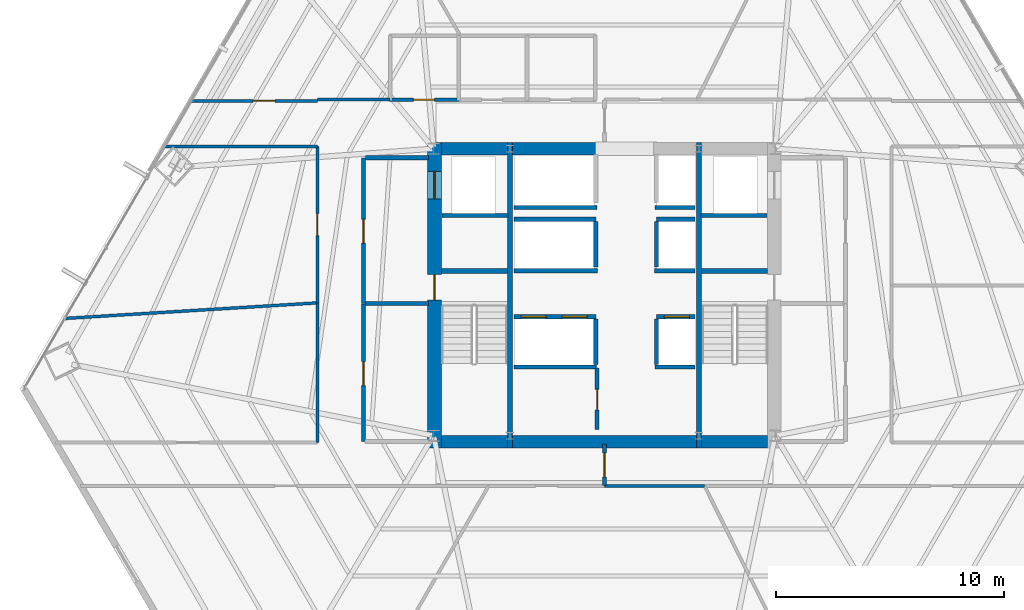
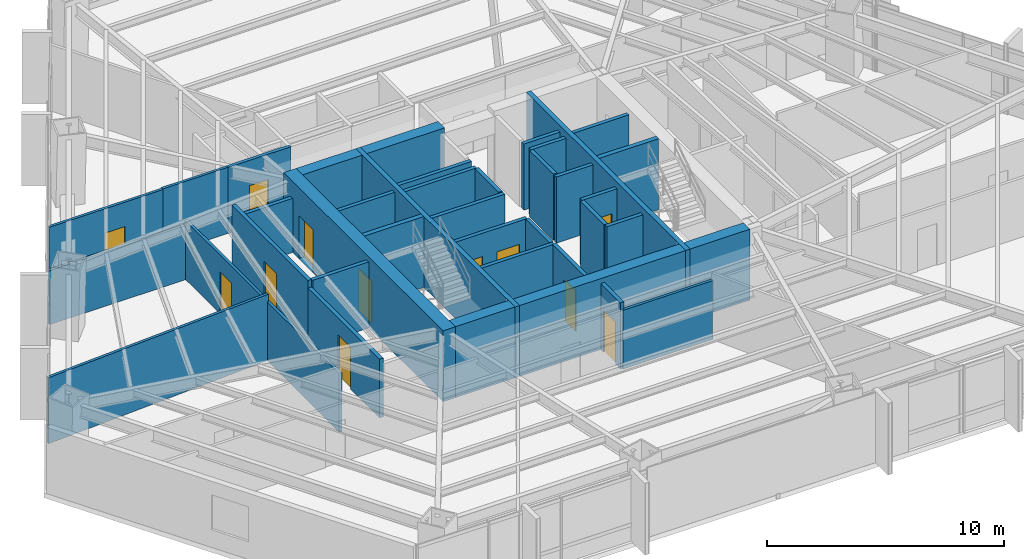
# One storey, part 28 of 33: 40 walls, 12 doors, 12 openings.
"""IFC4 building model written with IfcOpenShell, lengths in metres."""

from ifc_helpers import new_model, si_unit, direction, frame, frame_2d, origin, place, context, subcontext, project, spatial, rectangle, extrude, material, layer, layer_set, type_object, element, fill, save


model = new_model("IFC4")

# Units and contexts
model_context = context("Model", 3, precision=1e-05, world=origin(), true_north=direction((0.0, 1.0)))
body_context = subcontext(model_context, "Body", "Model", "MODEL_VIEW")
ifc_project = project(units=[si_unit("LENGTHUNIT", "METRE"), si_unit("AREAUNIT", "SQUARE_METRE"), si_unit("VOLUMEUNIT", "CUBIC_METRE"), si_unit("PLANEANGLEUNIT", "RADIAN"), si_unit("MASSUNIT", "GRAM", prefix="KILO")], contexts=[model_context])

# Site, building, storey
site_placement = place(None, origin())
site = spatial("IfcSite", under=ifc_project, at=site_placement, CompositionType="ELEMENT")
building_placement = place(site_placement, origin())
building = spatial("IfcBuilding", under=site, at=building_placement, Name="Caelisora Broadcast Tower", CompositionType="ELEMENT")
storey_placement = place(building_placement, frame((0.0, 0.0, 38.550048828125)))
storey = spatial("IfcBuildingStorey", under=building, at=storey_placement, Name="L09", CompositionType="ELEMENT", Elevation=38.550048828125)

# Wall, openings, doors
ifc_material_1 = material(Name="Concrete 65 MPa (AS 3600 S65)", Category="concrete")
ifc_layer_1 = layer(ifc_material_1, 0.60009765625, Name="Concrete 65 MPa (AS 3600 S65)")
ifc_layer_set_1 = layer_set([ifc_layer_1], Name="Concrete 65 MPa (AS 3600 S65)")
wall_type_1 = type_object("IfcWallType", Name="CW1", PredefinedType="SHEAR", material=ifc_layer_set_1)
wall_1_placement = place(storey_placement, frame((30.5400390625, 16.85009765625, 0.0), z_axis=(0.0, 0.0, 1.0), x_axis=(0.0, 1.0, 0.0)))
wall_1 = element("IfcWall", 1, at=wall_1_placement, inside=storey, type_object=wall_type_1, Name="L09 core shear wall CW1", PredefinedType="SHEAR", context=body_context, shape_type="SweptSolid", body=[
    extrude(rectangle(XDim=13.4248046875, YDim=0.60009765625, at=frame_2d((6.71240234375, 0.0))), origin(), (0.0, 0.0, 1.0), 3.64990234375),
])
opening_1_placement = place(wall_1_placement, frame((6.5, 0.0, 0.0)))
opening_1 = element("IfcOpeningElement", 2, at=opening_1_placement, cuts=wall_1, Name="Opening FD04", PredefinedType="OPENING", context=body_context, shape_type="SweptSolid", body=[
    extrude(rectangle(XDim=1.1201171875, YDim=2.14990234375, at=frame_2d((0.56005859375, 1.074951171875))), frame((0.0, 0.31201171875, 0.0), z_axis=(0.0, -1.0, 0.0), x_axis=(1.0, 0.0, 0.0)), (0.0, 0.0, 1.0), 0.6240234375),
])
opening_2_placement = place(wall_1_placement, frame((10.949951171875, 0.0, 0.0)))
opening_2 = element("IfcOpeningElement", 3, at=opening_2_placement, cuts=wall_1, Name="Opening LD04", PredefinedType="OPENING", context=body_context, shape_type="SweptSolid", body=[
    extrude(rectangle(XDim=1.199951171875, YDim=2.199951171875, at=frame_2d((0.60009765625, 1.10009765625))), frame((0.0, 0.31201171875, 0.0), z_axis=(0.0, -1.0, 0.0), x_axis=(1.0, 0.0, 0.0)), (0.0, 0.0, 1.0), 0.6240234375),
])
ifc_material_2 = material(Name="Pressurised Fire-Isolated Stair Door", Category="steel")
door_type_1 = type_object("IfcDoorType", Name="FD04", OperationType="NOTDEFINED", PredefinedType="DOOR", material=ifc_material_2)
door_1_placement = place(opening_1_placement, origin())
door_1 = element("IfcDoor", 4, at=door_1_placement, inside=storey, type_object=door_type_1, Name="L09 door FD04 (L09-DR-ST1)", OperationType="SINGLE_SWING_LEFT", OverallHeight=2.14990234375, OverallWidth=1.1201171875, PredefinedType="DOOR", context=body_context, shape_type="SweptSolid", body=[
    extrude(rectangle(XDim=1.1201171875, YDim=2.14990234375, at=frame_2d((0.56005859375, 1.074951171875))), frame((0.0, 0.02490234375, 0.0), z_axis=(0.0, -1.0, 0.0), x_axis=(1.0, 0.0, 0.0)), (0.0, 0.0, 1.0), 0.050048828125),
])
fill(opening_1, door_1)
ifc_material_3 = material(Name="Emergency Firefighting Lift Sliding Landing Door", Category="steel")
door_type_2 = type_object("IfcDoorType", Name="LD04", OperationType="NOTDEFINED", PredefinedType="DOOR", material=ifc_material_3)
door_2_placement = place(opening_2_placement, origin())
door_2 = element("IfcDoor", 5, at=door_2_placement, inside=storey, type_object=door_type_2, Name="L09 door LD04 (L09-LD-FFL1)", OperationType="SLIDING_TO_LEFT", OverallHeight=2.199951171875, OverallWidth=1.199951171875, PredefinedType="DOOR", context=body_context, shape_type="SweptSolid", body=[
    extrude(rectangle(XDim=1.199951171875, YDim=2.199951171875, at=frame_2d((0.60009765625, 1.10009765625))), frame((0.0, 0.02490234375, 0.0), z_axis=(0.0, -1.0, 0.0), x_axis=(1.0, 0.0, 0.0)), (0.0, 0.0, 1.0), 0.050048828125),
])
fill(opening_2, door_2)

# Walls
ifc_layer_2 = layer(ifc_material_1, 0.550048828125, Name="Concrete 65 MPa (AS 3600 S65)")
ifc_layer_set_2 = layer_set([ifc_layer_2], Name="Concrete 65 MPa (AS 3600 S65)")
wall_type_2 = type_object("IfcWallType", Name="CW4", PredefinedType="SHEAR", material=ifc_layer_set_2)
wall_2_placement = place(storey_placement, frame((30.840087890625, 17.125, 0.0), z_axis=(0.0, 0.0, 1.0), x_axis=(1.0, 0.0, 0.0)))
element("IfcWall", 6, at=wall_2_placement, inside=storey, type_object=wall_type_2, Name="L09 core shear wall CW4", PredefinedType="SHEAR", context=body_context, shape_type="SweptSolid", body=[
    extrude(rectangle(XDim=2.89990234375, YDim=0.550048828125, at=frame_2d((1.449951171875, 0.0))), origin(), (0.0, 0.0, 1.0), 3.64990234375),
])
wall_3_placement = place(storey_placement, frame((33.9599609375, 17.125, 0.0), z_axis=(0.0, 0.0, 1.0), x_axis=(1.0, 0.0, 0.0)))
element("IfcWall", 7, at=wall_3_placement, inside=storey, type_object=wall_type_2, Name="L09 core shear wall CW4", PredefinedType="SHEAR", context=body_context, shape_type="SweptSolid", body=[
    extrude(rectangle(XDim=8.080078125, YDim=0.550048828125, at=frame_2d((4.0400390625, 0.0))), origin(), (0.0, 0.0, 1.0), 3.64990234375),
])
for number, where, z_axis, x_axis, name in (
    (8, (42.260009765625, 17.125, 0.0), (0.0, 0.0, 1.0), (1.0, 0.0, 0.0), "L09 core shear wall CW4"),
    (9, (30.840087890625, 30.0, 0.0), (0.0, 0.0, 1.0), (1.0, 0.0, 0.0), "L09 core shear wall CW4"),
):
    element("IfcWall", number, at=place(storey_placement, frame(where, z_axis=z_axis, x_axis=x_axis)), inside=storey, type_object=wall_type_2, Name=name, PredefinedType="SHEAR", context=body_context, shape_type="SweptSolid", body=[
        extrude(rectangle(XDim=2.89990234375, YDim=0.550048828125, at=frame_2d((1.449951171875, 0.0))), origin(), (0.0, 0.0, 1.0), 3.64990234375),
    ])
wall_4_placement = place(storey_placement, frame((33.9599609375, 30.0, 0.0), z_axis=(0.0, 0.0, 1.0), x_axis=(1.0, 0.0, 0.0)))
element("IfcWall", 10, at=wall_4_placement, inside=storey, type_object=wall_type_2, Name="L09 core shear wall CW4", PredefinedType="SHEAR", context=body_context, shape_type="SweptSolid", body=[
    extrude(rectangle(XDim=3.780029296875, YDim=0.550048828125, at=frame_2d((1.89013671875, 0.0))), origin(), (0.0, 0.0, 1.0), 3.64990234375),
])
ifc_material_4 = material(Name="Concrete 50 MPa (AS 3600 S50)", Category="concrete")
ifc_layer_3 = layer(ifc_material_4, 0.219970703125, Name="Concrete 50 MPa (AS 3600 S50)")
ifc_layer_set_3 = layer_set([ifc_layer_3], Name="Concrete 50 MPa (AS 3600 S50)")
wall_type_3 = type_object("IfcWallType", Name="CW7", PredefinedType="SHEAR", material=ifc_layer_set_3)
for number, where, z_axis, x_axis, name in (
    (11, (33.85009765625, 16.85009765625, 0.0), (0.0, 0.0, 1.0), (0.0, 1.0, 0.0), "L09 core shear wall CW7"),
    (12, (42.14990234375, 16.85009765625, 0.0), (0.0, 0.0, 1.0), (0.0, 1.0, 0.0), "L09 core shear wall CW7"),
):
    element("IfcWall", number, at=place(storey_placement, frame(where, z_axis=z_axis, x_axis=x_axis)), inside=storey, type_object=wall_type_3, Name=name, PredefinedType="SHEAR", context=body_context, shape_type="SweptSolid", body=[
        extrude(rectangle(XDim=13.4248046875, YDim=0.219970703125, at=frame_2d((6.71240234375, 0.0))), origin(), (0.0, 0.0, 1.0), 3.64990234375),
    ])
for number, where, z_axis, x_axis, name in (
    (13, (30.840087890625, 24.639892578125, 0.0), (0.0, 0.0, 1.0), (1.0, 0.0, 0.0), "L09 core shear wall CW7"),
    (14, (42.260009765625, 24.639892578125, 0.0), (0.0, 0.0, 1.0), (1.0, 0.0, 0.0), "L09 core shear wall CW7"),
):
    element("IfcWall", number, at=place(storey_placement, frame(where, z_axis=z_axis, x_axis=x_axis)), inside=storey, type_object=wall_type_3, Name=name, PredefinedType="SHEAR", context=body_context, shape_type="SweptSolid", body=[
        extrude(rectangle(XDim=2.89990234375, YDim=0.219970703125, at=frame_2d((1.449951171875, 0.0))), origin(), (0.0, 0.0, 1.0), 3.64990234375),
    ])

# Wall, openings, doors
ifc_material_5 = material(Name="Fire-Rated Gypsum Shaft and Compartment Wall", Category="gypsum")
ifc_layer_4 = layer(ifc_material_5, 0.179931640625, Name="Fire-Rated Gypsum Shaft and Compartment Wall")
ifc_layer_set_4 = layer_set([ifc_layer_4], Name="Fire-Rated Gypsum Shaft and Compartment Wall")
wall_type_4 = type_object("IfcWallType", Name="PW2", PredefinedType="PARTITIONING", material=ifc_layer_set_4)
wall_5_placement = place(storey_placement, frame((34.02001953125, 22.6201171875, 0.0), z_axis=(0.0, 0.0, 1.0), x_axis=(1.0, 0.0, 0.0)))
wall_5 = element("IfcWall", 15, at=wall_5_placement, inside=storey, type_object=wall_type_4, Name="L09 fire compartment wall PW2", PredefinedType="PARTITIONING", context=body_context, shape_type="SweptSolid", body=[
    extrude(rectangle(XDim=3.60009765625, YDim=0.179931640625, at=frame_2d((1.800048828125, 0.0))), origin(), (0.0, 0.0, 1.0), 3.39990234375),
])
opening_3_placement = place(wall_5_placement, frame((0.320068359375, 0.0, 0.0)))
opening_3 = element("IfcOpeningElement", 16, at=opening_3_placement, cuts=wall_5, Name="Opening LD01", PredefinedType="OPENING", context=body_context, shape_type="SweptSolid", body=[
    extrude(rectangle(XDim=1.10009765625, YDim=2.199951171875, at=frame_2d((0.550048828125, 1.10009765625))), frame((0.0, 0.10205078125, 0.0), z_axis=(0.0, -1.0, 0.0), x_axis=(1.0, 0.0, 0.0)), (0.0, 0.0, 1.0), 0.203857421875),
])
opening_4_placement = place(wall_5_placement, frame((2.1201171875, 0.0, 0.0)))
opening_4 = element("IfcOpeningElement", 17, at=opening_4_placement, cuts=wall_5, Name="Opening LD01", PredefinedType="OPENING", context=body_context, shape_type="SweptSolid", body=[
    extrude(rectangle(XDim=1.10009765625, YDim=2.199951171875, at=frame_2d((0.550048828125, 1.10009765625))), frame((0.0, 0.10205078125, 0.0), z_axis=(0.0, -1.0, 0.0), x_axis=(1.0, 0.0, 0.0)), (0.0, 0.0, 1.0), 0.203857421875),
])
ifc_material_6 = material(Name="Stainless Steel Centre-Parting Lift Landing Door", Category="steel")
door_type_3 = type_object("IfcDoorType", Name="LD01", OperationType="NOTDEFINED", PredefinedType="DOOR", material=ifc_material_6)
door_3_placement = place(opening_3_placement, origin())
door_3 = element("IfcDoor", 18, at=door_3_placement, inside=storey, type_object=door_type_3, Name="L09 door LD01 (L09-LD-PLL1)", OperationType="SLIDING_TO_LEFT", OverallHeight=2.199951171875, OverallWidth=1.10009765625, PredefinedType="DOOR", context=body_context, shape_type="SweptSolid", body=[
    extrude(rectangle(XDim=1.10009765625, YDim=2.199951171875, at=frame_2d((0.550048828125, 1.10009765625))), frame((0.0, 0.02490234375, 0.0), z_axis=(0.0, -1.0, 0.0), x_axis=(1.0, 0.0, 0.0)), (0.0, 0.0, 1.0), 0.050048828125),
])
fill(opening_3, door_3)
door_4_placement = place(opening_4_placement, origin())
door_4 = element("IfcDoor", 19, at=door_4_placement, inside=storey, type_object=door_type_3, Name="L09 door LD01 (L09-LD-PLL2)", OperationType="SLIDING_TO_RIGHT", OverallHeight=2.199951171875, OverallWidth=1.10009765625, PredefinedType="DOOR", context=body_context, shape_type="SweptSolid", body=[
    extrude(rectangle(XDim=1.10009765625, YDim=2.199951171875, at=frame_2d((0.550048828125, 1.10009765625))), frame((0.0, 0.02490234375, 0.0), z_axis=(0.0, -1.0, 0.0), x_axis=(1.0, 0.0, 0.0)), (0.0, 0.0, 1.0), 0.050048828125),
])
fill(opening_4, door_4)

# Wall, opening, door
wall_6_placement = place(storey_placement, frame((40.280029296875, 22.6201171875, 0.0), z_axis=(0.0, 0.0, 1.0), x_axis=(1.0, 0.0, 0.0)))
wall_6 = element("IfcWall", 20, at=wall_6_placement, inside=storey, type_object=wall_type_4, Name="L09 fire compartment wall PW2", PredefinedType="PARTITIONING", context=body_context, shape_type="SweptSolid", body=[
    extrude(rectangle(XDim=1.699951171875, YDim=0.179931640625, at=frame_2d((0.85009765625, 0.0))), origin(), (0.0, 0.0, 1.0), 3.39990234375),
])
opening_5_placement = place(wall_6_placement, frame((0.35009765625, 0.0, 0.0)))
opening_5 = element("IfcOpeningElement", 21, at=opening_5_placement, cuts=wall_6, Name="Opening LD01", PredefinedType="OPENING", context=body_context, shape_type="SweptSolid", body=[
    extrude(rectangle(XDim=1.10009765625, YDim=2.199951171875, at=frame_2d((0.550048828125, 1.10009765625))), frame((0.0, 0.10205078125, 0.0), z_axis=(0.0, -1.0, 0.0), x_axis=(1.0, 0.0, 0.0)), (0.0, 0.0, 1.0), 0.203857421875),
])
door_5_placement = place(opening_5_placement, origin())
door_5 = element("IfcDoor", 22, at=door_5_placement, inside=storey, type_object=door_type_3, Name="L09 door LD01 (L09-LD-PLL3)", OperationType="SLIDING_TO_LEFT", OverallHeight=2.199951171875, OverallWidth=1.10009765625, PredefinedType="DOOR", context=body_context, shape_type="SweptSolid", body=[
    extrude(rectangle(XDim=1.10009765625, YDim=2.199951171875, at=frame_2d((0.550048828125, 1.10009765625))), frame((0.0, 0.02490234375, 0.0), z_axis=(0.0, -1.0, 0.0), x_axis=(1.0, 0.0, 0.0)), (0.0, 0.0, 1.0), 0.050048828125),
])
fill(opening_5, door_5)

# Walls
for number, where, z_axis, x_axis, name in (
    (23, (37.6201171875, 20.52001953125, 0.0), (0.0, 0.0, 1.0), (0.0, 1.0, 0.0), "L09 fire compartment wall PW2"),
    (24, (40.280029296875, 20.52001953125, 0.0), (0.0, 0.0, 1.0), (0.0, 1.0, 0.0), "L09 fire compartment wall PW2"),
):
    element("IfcWall", number, at=place(storey_placement, frame(where, z_axis=z_axis, x_axis=x_axis)), inside=storey, type_object=wall_type_4, Name=name, PredefinedType="PARTITIONING", context=body_context, shape_type="SweptSolid", body=[
        extrude(rectangle(XDim=2.0, YDim=0.179931640625, at=frame_2d((1.0, 0.0))), origin(), (0.0, 0.0, 1.0), 3.39990234375),
    ])
wall_7_placement = place(storey_placement, frame((34.02001953125, 26.89990234375, 0.0), z_axis=(0.0, 0.0, 1.0), x_axis=(1.0, 0.0, 0.0)))
element("IfcWall", 25, at=wall_7_placement, inside=storey, type_object=wall_type_4, Name="L09 fire compartment wall PW2", PredefinedType="PARTITIONING", context=body_context, shape_type="SweptSolid", body=[
    extrude(rectangle(XDim=3.60009765625, YDim=0.179931640625, at=frame_2d((1.800048828125, 0.0))), origin(), (0.0, 0.0, 1.0), 3.39990234375),
])
wall_8_placement = place(storey_placement, frame((40.280029296875, 26.89990234375, 0.0), z_axis=(0.0, 0.0, 1.0), x_axis=(1.0, 0.0, 0.0)))
element("IfcWall", 26, at=wall_8_placement, inside=storey, type_object=wall_type_4, Name="L09 fire compartment wall PW2", PredefinedType="PARTITIONING", context=body_context, shape_type="SweptSolid", body=[
    extrude(rectangle(XDim=1.699951171875, YDim=0.179931640625, at=frame_2d((0.85009765625, 0.0))), origin(), (0.0, 0.0, 1.0), 3.39990234375),
])
for number, where, z_axis, x_axis, name in (
    (27, (37.6201171875, 24.800048828125, 0.0), (0.0, 0.0, 1.0), (0.0, 1.0, 0.0), "L09 fire compartment wall PW2"),
    (28, (40.280029296875, 24.800048828125, 0.0), (0.0, 0.0, 1.0), (0.0, 1.0, 0.0), "L09 fire compartment wall PW2"),
):
    element("IfcWall", number, at=place(storey_placement, frame(where, z_axis=z_axis, x_axis=x_axis)), inside=storey, type_object=wall_type_4, Name=name, PredefinedType="PARTITIONING", context=body_context, shape_type="SweptSolid", body=[
        extrude(rectangle(XDim=2.0, YDim=0.179931640625, at=frame_2d((1.0, 0.0))), origin(), (0.0, 0.0, 1.0), 3.39990234375),
    ])
wall_9_placement = place(storey_placement, frame((34.02001953125, 24.639892578125, 0.0), z_axis=(0.0, 0.0, 1.0), x_axis=(1.0, 0.0, 0.0)))
element("IfcWall", 29, at=wall_9_placement, inside=storey, type_object=wall_type_4, Name="L09 fire compartment wall PW2", PredefinedType="PARTITIONING", context=body_context, shape_type="SweptSolid", body=[
    extrude(rectangle(XDim=3.679931640625, YDim=0.179931640625, at=frame_2d((1.83984375, 0.0))), origin(), (0.0, 0.0, 1.0), 3.39990234375),
])
wall_10_placement = place(storey_placement, frame((40.199951171875, 24.639892578125, 0.0), z_axis=(0.0, 0.0, 1.0), x_axis=(1.0, 0.0, 0.0)))
element("IfcWall", 30, at=wall_10_placement, inside=storey, type_object=wall_type_4, Name="L09 fire compartment wall PW2", PredefinedType="PARTITIONING", context=body_context, shape_type="SweptSolid", body=[
    extrude(rectangle(XDim=1.780029296875, YDim=0.179931640625, at=frame_2d((0.89013671875, 0.0))), origin(), (0.0, 0.0, 1.0), 3.39990234375),
])
wall_11_placement = place(storey_placement, frame((34.02001953125, 27.419921875, 0.0), z_axis=(0.0, 0.0, 1.0), x_axis=(1.0, 0.0, 0.0)))
element("IfcWall", 31, at=wall_11_placement, inside=storey, type_object=wall_type_4, Name="L09 fire compartment wall PW2", PredefinedType="PARTITIONING", context=body_context, shape_type="SweptSolid", body=[
    extrude(rectangle(XDim=3.659912109375, YDim=0.179931640625, at=frame_2d((1.830078125, 0.0))), origin(), (0.0, 0.0, 1.0), 3.39990234375),
])
wall_12_placement = place(storey_placement, frame((40.219970703125, 27.419921875, 0.0), z_axis=(0.0, 0.0, 1.0), x_axis=(1.0, 0.0, 0.0)))
element("IfcWall", 32, at=wall_12_placement, inside=storey, type_object=wall_type_4, Name="L09 fire compartment wall PW2", PredefinedType="PARTITIONING", context=body_context, shape_type="SweptSolid", body=[
    extrude(rectangle(XDim=1.760009765625, YDim=0.179931640625, at=frame_2d((0.8798828125, 0.0))), origin(), (0.0, 0.0, 1.0), 3.39990234375),
])

# Wall, opening, door
wall_13_placement = place(storey_placement, frame((27.419921875, 23.199951171875, 0.0), z_axis=(0.0, 0.0, 1.0), x_axis=(0.0, 1.0, 0.0)))
wall_13 = element("IfcWall", 33, at=wall_13_placement, inside=storey, type_object=wall_type_4, Name="L09 fire compartment wall PW2", PredefinedType="PARTITIONING", context=body_context, shape_type="SweptSolid", body=[
    extrude(rectangle(XDim=6.400146484375, YDim=0.179931640625, at=frame_2d((3.2001953125, 0.0))), origin(), (0.0, 0.0, 1.0), 3.39990234375),
])
opening_6_placement = place(wall_13_placement, frame((2.64990234375, 0.0, 0.0)))
opening_6 = element("IfcOpeningElement", 34, at=opening_6_placement, cuts=wall_13, Name="Opening FD02", PredefinedType="OPENING", context=body_context, shape_type="SweptSolid", body=[
    extrude(rectangle(XDim=1.050048828125, YDim=2.14990234375, at=frame_2d((0.52490234375, 1.074951171875))), frame((0.0, 0.10205078125, 0.0), z_axis=(0.0, -1.0, 0.0), x_axis=(1.0, 0.0, 0.0)), (0.0, 0.0, 1.0), 0.203857421875),
])
ifc_material_7 = material(Name="Single-Leaf Steel Fire Lobby Door", Category="steel")
door_type_4 = type_object("IfcDoorType", Name="FD02", OperationType="NOTDEFINED", PredefinedType="DOOR", material=ifc_material_7)
door_6_placement = place(opening_6_placement, origin())
door_6 = element("IfcDoor", 35, at=door_6_placement, inside=storey, type_object=door_type_4, Name="L09 door FD02 (L09-DR-P01D1)", OperationType="SINGLE_SWING_LEFT", OverallHeight=2.14990234375, OverallWidth=1.050048828125, PredefinedType="DOOR", context=body_context, shape_type="SweptSolid", body=[
    extrude(rectangle(XDim=1.050048828125, YDim=2.14990234375, at=frame_2d((0.52490234375, 1.074951171875))), frame((0.0, 0.02490234375, 0.0), z_axis=(0.0, -1.0, 0.0), x_axis=(1.0, 0.0, 0.0)), (0.0, 0.0, 1.0), 0.050048828125),
])
fill(opening_6, door_6)

# Walls
wall_14_placement = place(storey_placement, frame((27.52001953125, 23.199951171875, 0.0), z_axis=(0.0, 0.0, 1.0), x_axis=(1.0, 0.0, 0.0)))
element("IfcWall", 36, at=wall_14_placement, inside=storey, type_object=wall_type_4, Name="L09 fire compartment wall PW2", PredefinedType="PARTITIONING", context=body_context, shape_type="SweptSolid", body=[
    extrude(rectangle(XDim=2.760009765625, YDim=0.179931640625, at=frame_2d((1.3798828125, 0.0))), origin(), (0.0, 0.0, 1.0), 3.39990234375),
])
wall_15_placement = place(storey_placement, frame((27.52001953125, 29.60009765625, 0.0), z_axis=(0.0, 0.0, 1.0), x_axis=(1.0, 0.0, 0.0)))
element("IfcWall", 37, at=wall_15_placement, inside=storey, type_object=wall_type_4, Name="L09 fire compartment wall PW2", PredefinedType="PARTITIONING", context=body_context, shape_type="SweptSolid", body=[
    extrude(rectangle(XDim=2.760009765625, YDim=0.179931640625, at=frame_2d((1.3798828125, 0.0))), origin(), (0.0, 0.0, 1.0), 2.78271484375),
])
for number, where, z_axis, x_axis, name in (
    (38, (30.860107421875, 27.070068359375, 0.0), (0.0, 0.0, 1.0), (1.0, 0.0, 0.0), "L09 fire compartment wall PW2"),
    (39, (42.239990234375, 27.070068359375, 0.0), (0.0, 0.0, 1.0), (1.0, 0.0, 0.0), "L09 fire compartment wall PW2"),
):
    element("IfcWall", number, at=place(storey_placement, frame(where, z_axis=z_axis, x_axis=x_axis)), inside=storey, type_object=wall_type_4, Name=name, PredefinedType="PARTITIONING", context=body_context, shape_type="SweptSolid", body=[
        extrude(rectangle(XDim=2.89990234375, YDim=0.179931640625, at=frame_2d((1.449951171875, 0.0))), origin(), (0.0, 0.0, 1.0), 3.39990234375),
    ])
wall_16_placement = place(storey_placement, frame((34.02001953125, 20.419921875, 0.0), z_axis=(0.0, 0.0, 1.0), x_axis=(1.0, 0.0, 0.0)))
element("IfcWall", 40, at=wall_16_placement, inside=storey, type_object=wall_type_4, Name="L09 fire compartment wall PW2", PredefinedType="PARTITIONING", context=body_context, shape_type="SweptSolid", body=[
    extrude(rectangle(XDim=3.639892578125, YDim=0.179931640625, at=frame_2d((1.81982421875, 0.0))), origin(), (0.0, 0.0, 1.0), 3.39990234375),
])
wall_17_placement = place(storey_placement, frame((40.219970703125, 20.419921875, 0.0), z_axis=(0.0, 0.0, 1.0), x_axis=(1.0, 0.0, 0.0)))
element("IfcWall", 41, at=wall_17_placement, inside=storey, type_object=wall_type_4, Name="L09 fire compartment wall PW2", PredefinedType="PARTITIONING", context=body_context, shape_type="SweptSolid", body=[
    extrude(rectangle(XDim=1.760009765625, YDim=0.179931640625, at=frame_2d((0.8798828125, 0.0))), origin(), (0.0, 0.0, 1.0), 3.39990234375),
])

# Wall, opening, door
wall_18_placement = place(storey_placement, frame((37.679931640625, 17.679931640625, 0.0), z_axis=(0.0, 0.0, 1.0), x_axis=(0.0, 1.0, 0.0)))
wall_18 = element("IfcWall", 42, at=wall_18_placement, inside=storey, type_object=wall_type_4, Name="L09 fire compartment wall PW2", PredefinedType="PARTITIONING", context=body_context, shape_type="SweptSolid", body=[
    extrude(rectangle(XDim=2.699951171875, YDim=0.179931640625, at=frame_2d((1.35009765625, 0.0))), origin(), (0.0, 0.0, 1.0), 3.39990234375),
])
opening_7_placement = place(wall_18_placement, frame((0.85009765625, 0.0, 0.0)))
opening_7 = element("IfcOpeningElement", 43, at=opening_7_placement, cuts=wall_18, Name="Opening FD03", PredefinedType="OPENING", context=body_context, shape_type="SweptSolid", body=[
    extrude(rectangle(XDim=0.89990234375, YDim=2.10009765625, at=frame_2d((0.449951171875, 1.050048828125))), frame((0.0, 0.10205078125, 0.0), z_axis=(0.0, -1.0, 0.0), x_axis=(1.0, 0.0, 0.0)), (0.0, 0.0, 1.0), 0.203857421875),
])
ifc_material_8 = material(Name="Single-Leaf Steel Riser Fire Access Door", Category="steel")
door_type_5 = type_object("IfcDoorType", Name="FD03", OperationType="NOTDEFINED", PredefinedType="DOOR", material=ifc_material_8)
door_7_placement = place(opening_7_placement, origin())
door_7 = element("IfcDoor", 44, at=door_7_placement, inside=storey, type_object=door_type_5, Name="L09 door FD03 (L09-DR-P11D1)", OperationType="SINGLE_SWING_LEFT", OverallHeight=2.10009765625, OverallWidth=0.89990234375, PredefinedType="DOOR", context=body_context, shape_type="SweptSolid", body=[
    extrude(rectangle(XDim=0.89990234375, YDim=2.10009765625, at=frame_2d((0.449951171875, 1.050048828125))), frame((0.0, 0.02490234375, 0.0), z_axis=(0.0, -1.0, 0.0), x_axis=(1.0, 0.0, 0.0)), (0.0, 0.0, 1.0), 0.050048828125),
])
fill(opening_7, door_7)

wall_19_placement = place(storey_placement, frame((27.419921875, 17.14990234375, 0.0), z_axis=(0.0, 0.0, 1.0), x_axis=(0.0, 1.0, 0.0)))
wall_19 = element("IfcWall", 45, at=wall_19_placement, inside=storey, type_object=wall_type_4, Name="L09 fire compartment wall PW2", PredefinedType="PARTITIONING", context=body_context, shape_type="SweptSolid", body=[
    extrude(rectangle(XDim=6.030029296875, YDim=0.179931640625, at=frame_2d((3.01513671875, 0.0))), origin(), (0.0, 0.0, 1.0), 3.0263671875),
])
opening_8_placement = place(wall_19_placement, frame((2.449951171875, 0.0, 0.0)))
opening_8 = element("IfcOpeningElement", 46, at=opening_8_placement, cuts=wall_19, Name="Opening FD02", PredefinedType="OPENING", context=body_context, shape_type="SweptSolid", body=[
    extrude(rectangle(XDim=1.050048828125, YDim=2.14990234375, at=frame_2d((0.52490234375, 1.074951171875))), frame((0.0, 0.10205078125, 0.0), z_axis=(0.0, -1.0, 0.0), x_axis=(1.0, 0.0, 0.0)), (0.0, 0.0, 1.0), 0.203857421875),
])
door_8_placement = place(opening_8_placement, origin())
door_8 = element("IfcDoor", 47, at=door_8_placement, inside=storey, type_object=door_type_4, Name="L09 door FD02 (L09-DR-P12D1)", OperationType="SINGLE_SWING_RIGHT", OverallHeight=2.14990234375, OverallWidth=1.050048828125, PredefinedType="DOOR", context=body_context, shape_type="SweptSolid", body=[
    extrude(rectangle(XDim=1.050048828125, YDim=2.14990234375, at=frame_2d((0.52490234375, 1.074951171875))), frame((0.0, 0.02490234375, 0.0), z_axis=(0.0, -1.0, 0.0), x_axis=(1.0, 0.0, 0.0)), (0.0, 0.0, 1.0), 0.050048828125),
])
fill(opening_8, door_8)

wall_20_placement = place(storey_placement, frame((38.0, 15.205078125, 0.0), z_axis=(0.0, 0.0, 1.0), x_axis=(0.0, 1.0, 0.0)))
wall_20 = element("IfcWall", 48, at=wall_20_placement, inside=storey, type_object=wall_type_4, Name="L09 fire compartment wall PW2", PredefinedType="PARTITIONING", context=body_context, shape_type="SweptSolid", body=[
    extrude(rectangle(XDim=1.81982421875, YDim=0.179931640625, at=frame_2d((0.909912109375, 0.0))), origin(), (0.0, 0.0, 1.0), 3.39990234375),
])
opening_9_placement = place(wall_20_placement, frame((0.385009765625, 0.0, 0.0)))
opening_9 = element("IfcOpeningElement", 49, at=opening_9_placement, cuts=wall_20, Name="Opening FD02", PredefinedType="OPENING", context=body_context, shape_type="SweptSolid", body=[
    extrude(rectangle(XDim=1.050048828125, YDim=2.14990234375, at=frame_2d((0.52490234375, 1.074951171875))), frame((0.0, 0.10205078125, 0.0), z_axis=(0.0, -1.0, 0.0), x_axis=(1.0, 0.0, 0.0)), (0.0, 0.0, 1.0), 0.203857421875),
])
door_9_placement = place(opening_9_placement, origin())
door_9 = element("IfcDoor", 50, at=door_9_placement, inside=storey, type_object=door_type_4, Name="L09 door FD02 (L09-DR-P49D1)", OperationType="SINGLE_SWING_LEFT", OverallHeight=2.14990234375, OverallWidth=1.050048828125, PredefinedType="DOOR", context=body_context, shape_type="SweptSolid", body=[
    extrude(rectangle(XDim=1.050048828125, YDim=2.14990234375, at=frame_2d((0.52490234375, 1.074951171875))), frame((0.0, 0.02490234375, 0.0), z_axis=(0.0, -1.0, 0.0), x_axis=(1.0, 0.0, 0.0)), (0.0, 0.0, 1.0), 0.050048828125),
])
fill(opening_9, door_9)

# Wall
ifc_material_9 = material(Name="Acoustic Steel-Stud Plasterboard Partition", Category="gypsum")
ifc_layer_5 = layer(ifc_material_9, 0.1298828125, Name="Acoustic Steel-Stud Plasterboard Partition")
ifc_layer_set_5 = layer_set([ifc_layer_5], Name="Acoustic Steel-Stud Plasterboard Partition")
wall_type_5 = type_object("IfcWallType", Name="PW3", PredefinedType="PARTITIONING", material=ifc_layer_set_5)
wall_21_placement = place(storey_placement, frame((14.30859375, 22.546630859375, 0.0), z_axis=(0.0, 0.0, 1.0), x_axis=(0.998105749379, 0.061521647049, 0.0)))
element("IfcWall", 51, at=wall_21_placement, inside=storey, type_object=wall_type_5, Name="L09 internal partition PW3", PredefinedType="PARTITIONING", context=body_context, shape_type="SweptSolid", body=[
    extrude(rectangle(XDim=11.107421875, YDim=0.1298828125, at=frame_2d((5.5537109375, 0.0))), origin(), (0.0, 0.0, 1.0), 3.39990234375),
])

# Wall, opening, door
wall_22_placement = place(storey_placement, frame((25.39990234375, 23.235107421875, 0.0), z_axis=(0.0, 0.0, 1.0), x_axis=(0.0, 1.0, 0.0)))
wall_22 = element("IfcWall", 52, at=wall_22_placement, inside=storey, type_object=wall_type_5, Name="L09 internal partition PW3", PredefinedType="PARTITIONING", context=body_context, shape_type="SweptSolid", body=[
    extrude(rectangle(XDim=6.85986328125, YDim=0.1298828125, at=frame_2d((3.429931640625, 0.0))), origin(), (0.0, 0.0, 1.0), 3.0263671875),
])
opening_10_placement = place(wall_22_placement, frame((2.949951171875, 0.0, 0.0)))
opening_10 = element("IfcOpeningElement", 53, at=opening_10_placement, cuts=wall_22, Name="Opening D01", PredefinedType="OPENING", context=body_context, shape_type="SweptSolid", body=[
    extrude(rectangle(XDim=0.9599609375, YDim=2.14990234375, at=frame_2d((0.47998046875, 1.074951171875))), frame((0.0, 0.076904296875, 0.0), z_axis=(0.0, -1.0, 0.0), x_axis=(1.0, 0.0, 0.0)), (0.0, 0.0, 1.0), 0.15380859375),
])
ifc_material_10 = material(Name="Solid-Core Timber Acoustic Office Door", Category="wood")
door_type_6 = type_object("IfcDoorType", Name="D01", OperationType="NOTDEFINED", PredefinedType="DOOR", material=ifc_material_10)
door_10_placement = place(opening_10_placement, origin())
door_10 = element("IfcDoor", 54, at=door_10_placement, inside=storey, type_object=door_type_6, Name="L09 door D01 (L09-DR-P39D1)", OperationType="SINGLE_SWING_LEFT", OverallHeight=2.14990234375, OverallWidth=0.9599609375, PredefinedType="DOOR", context=body_context, shape_type="SweptSolid", body=[
    extrude(rectangle(XDim=0.9599609375, YDim=2.14990234375, at=frame_2d((0.47998046875, 1.074951171875))), frame((0.0, 0.02490234375, 0.0), z_axis=(0.0, -1.0, 0.0), x_axis=(1.0, 0.0, 0.0)), (0.0, 0.0, 1.0), 0.050048828125),
])
fill(opening_10, door_10)

# Walls
wall_23_placement = place(storey_placement, frame((25.39501953125, 30.10009765625, 0.0), z_axis=(0.0, 0.0, 1.0), x_axis=(-1.0, 0.0, 0.0)))
element("IfcWall", 55, at=wall_23_placement, inside=storey, type_object=wall_type_5, Name="L09 internal partition PW3", PredefinedType="PARTITIONING", context=body_context, shape_type="SweptSolid", body=[
    extrude(rectangle(XDim=6.68701171875, YDim=0.1298828125, at=frame_2d((3.343505859375, 0.0))), origin(), (0.0, 0.0, 1.0), 2.78271484375),
])
wall_24_placement = place(storey_placement, frame((25.39990234375, 17.10498046875, 0.0), z_axis=(0.0, 0.0, 1.0), x_axis=(0.0, 1.0, 0.0)))
element("IfcWall", 56, at=wall_24_placement, inside=storey, type_object=wall_type_5, Name="L09 internal partition PW3", PredefinedType="PARTITIONING", context=body_context, shape_type="SweptSolid", body=[
    extrude(rectangle(XDim=6.1201171875, YDim=0.1298828125, at=frame_2d((3.06005859375, 0.0))), origin(), (0.0, 0.0, 1.0), 3.0263671875),
])

# Wall, opening, door
wall_25_placement = place(storey_placement, frame((19.873046875, 32.10009765625, 0.0), z_axis=(0.0, 0.0, 1.0), x_axis=(1.0, 0.0, 0.0)))
wall_25 = element("IfcWall", 57, at=wall_25_placement, inside=storey, type_object=wall_type_5, Name="L09 internal partition PW3", PredefinedType="PARTITIONING", context=body_context, shape_type="SweptSolid", body=[
    extrude(rectangle(XDim=5.52197265625, YDim=0.1298828125, at=frame_2d((2.760986328125, 0.0))), origin(), (0.0, 0.0, 1.0), 3.39990234375),
])
opening_11_placement = place(wall_25_placement, frame((2.699951171875, 0.0, 0.0)))
opening_11 = element("IfcOpeningElement", 58, at=opening_11_placement, cuts=wall_25, Name="Opening D01", PredefinedType="OPENING", context=body_context, shape_type="SweptSolid", body=[
    extrude(rectangle(XDim=0.9599609375, YDim=2.14990234375, at=frame_2d((0.47998046875, 1.074951171875))), frame((0.0, 0.076904296875, 0.0), z_axis=(0.0, -1.0, 0.0), x_axis=(1.0, 0.0, 0.0)), (0.0, 0.0, 1.0), 0.15380859375),
])
door_11_placement = place(opening_11_placement, origin())
door_11 = element("IfcDoor", 59, at=door_11_placement, inside=storey, type_object=door_type_6, Name="L09 door D01 (L09-DR-P44D1)", OperationType="SINGLE_SWING_RIGHT", OverallHeight=2.14990234375, OverallWidth=0.9599609375, PredefinedType="DOOR", context=body_context, shape_type="SweptSolid", body=[
    extrude(rectangle(XDim=0.9599609375, YDim=2.14990234375, at=frame_2d((0.47998046875, 1.074951171875))), frame((0.0, 0.02490234375, 0.0), z_axis=(0.0, -1.0, 0.0), x_axis=(1.0, 0.0, 0.0)), (0.0, 0.0, 1.0), 0.050048828125),
])
fill(opening_11, door_11)

# Walls
wall_26_placement = place(storey_placement, frame((38.0048828125, 15.199951171875, 0.0), z_axis=(0.0, 0.0, 1.0), x_axis=(1.0, 0.0, 0.0)))
element("IfcWall", 60, at=wall_26_placement, inside=storey, type_object=wall_type_5, Name="L09 internal partition PW3", PredefinedType="PARTITIONING", context=body_context, shape_type="SweptSolid", body=[
    extrude(rectangle(XDim=4.380126953125, YDim=0.1298828125, at=frame_2d((2.18994140625, 0.0))), origin(), (0.0, 0.0, 1.0), 3.0263671875),
])
wall_27_placement = place(storey_placement, frame((25.405029296875, 32.14990234375, 0.0), z_axis=(0.0, 0.0, 1.0), x_axis=(1.0, 0.0, 0.0)))
element("IfcWall", 61, at=wall_27_placement, inside=storey, type_object=wall_type_5, Name="L09 internal partition PW3", PredefinedType="PARTITIONING", context=body_context, shape_type="SweptSolid", body=[
    extrude(rectangle(XDim=3.18994140625, YDim=0.1298828125, at=frame_2d((1.594970703125, 0.0))), origin(), (0.0, 0.0, 1.0), 3.39990234375),
])

# Wall, opening, door
ifc_material_11 = material(Name="Moisture-Resistant Wet Plumbing Service Wall", Category="gypsum")
ifc_layer_6 = layer(ifc_material_11, 0.159912109375, Name="Moisture-Resistant Wet Plumbing Service Wall")
ifc_layer_set_6 = layer_set([ifc_layer_6], Name="Moisture-Resistant Wet Plumbing Service Wall")
wall_type_6 = type_object("IfcWallType", Name="PW4", PredefinedType="PLUMBINGWALL", material=ifc_layer_set_6)
wall_28_placement = place(storey_placement, frame((28.574951171875, 32.14990234375, 0.0), z_axis=(0.0, 0.0, 1.0), x_axis=(1.0, 0.0, 0.0)))
wall_28 = element("IfcWall", 62, at=wall_28_placement, inside=storey, type_object=wall_type_6, Name="L09 wet plumbing wall PW4", PredefinedType="PLUMBINGWALL", context=body_context, shape_type="SweptSolid", body=[
    extrude(rectangle(XDim=3.050048828125, YDim=0.159912109375, at=frame_2d((1.52490234375, 0.0))), origin(), (0.0, 0.0, 1.0), 3.39990234375),
])
opening_12_placement = place(wall_28_placement, frame((1.034912109375, 0.0, 0.0)))
opening_12 = element("IfcOpeningElement", 63, at=opening_12_placement, cuts=wall_28, Name="Opening D03", PredefinedType="OPENING", context=body_context, shape_type="SweptSolid", body=[
    extrude(rectangle(XDim=0.919921875, YDim=2.10009765625, at=frame_2d((0.4599609375, 1.050048828125))), frame((0.0, 0.092041015625, 0.0), z_axis=(0.0, -1.0, 0.0), x_axis=(1.0, 0.0, 0.0)), (0.0, 0.0, 1.0), 0.183837890625),
])
ifc_material_12 = material(Name="Laminate Moisture-Resistant Amenity WC Door", Category="wood")
door_type_7 = type_object("IfcDoorType", Name="D03", OperationType="NOTDEFINED", PredefinedType="DOOR", material=ifc_material_12)
door_12_placement = place(opening_12_placement, origin())
door_12 = element("IfcDoor", 64, at=door_12_placement, inside=storey, type_object=door_type_7, Name="L09 door D03 (L09-DR-P16D1)", OperationType="SINGLE_SWING_RIGHT", OverallHeight=2.10009765625, OverallWidth=0.919921875, PredefinedType="DOOR", context=body_context, shape_type="SweptSolid", body=[
    extrude(rectangle(XDim=0.919921875, YDim=2.10009765625, at=frame_2d((0.4599609375, 1.050048828125))), frame((0.0, 0.02490234375, 0.0), z_axis=(0.0, -1.0, 0.0), x_axis=(1.0, 0.0, 0.0)), (0.0, 0.0, 1.0), 0.050048828125),
])
fill(opening_12, door_12)

save(model, "model.ifc")
